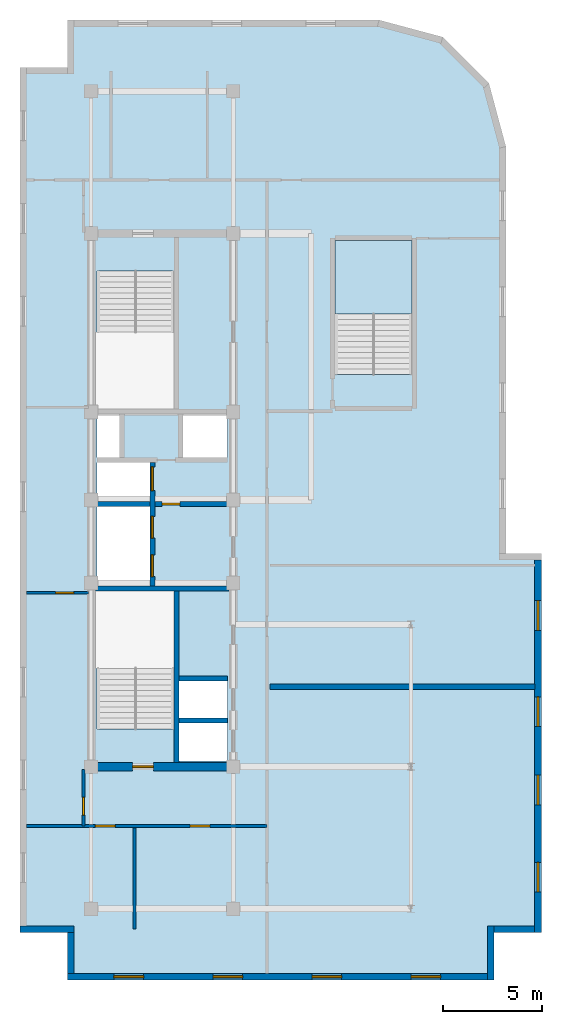
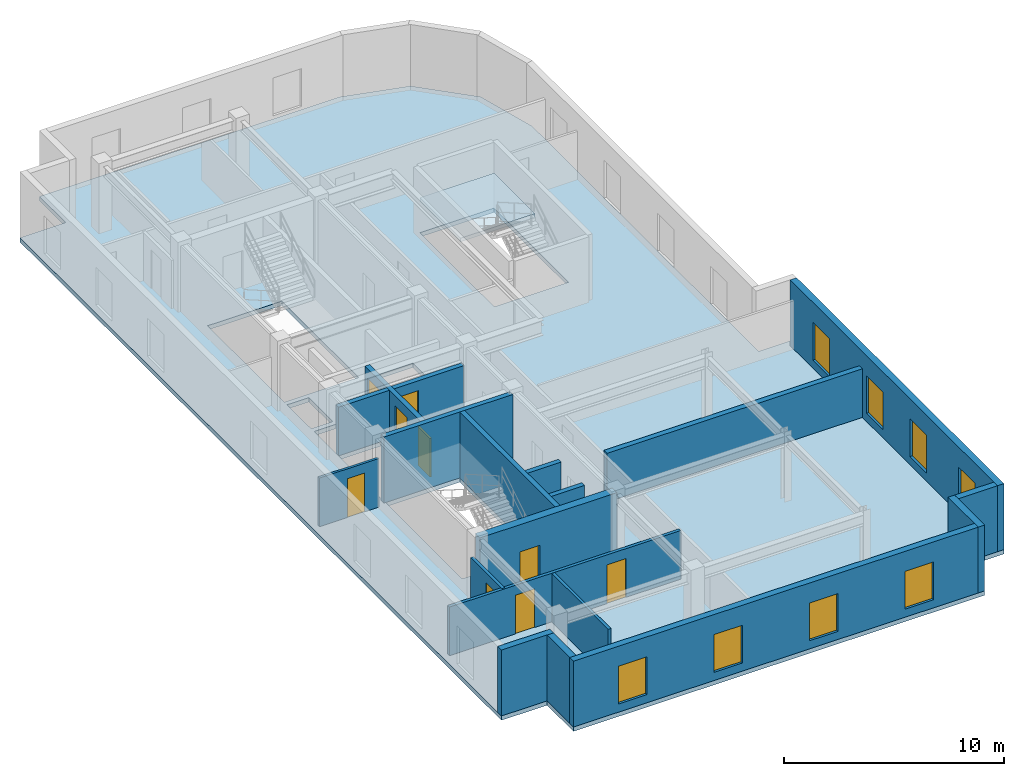
# One storey, part 2 of 5: 18 walls, 9 doors, 8 windows, 2 slabs, 17 openings, 1 element without a shape of its own.
"""IFC4 building model written with IfcOpenShell, lengths in metres."""

from ifc_helpers import new_model, entity, si_unit, converted_unit, direction, frame, origin_with_axes, origin_2d_with_axis, place, context, subcontext, project, spatial, polyline, rectangle, outline, extrude, material, layer, layer_set, type_object, element, fill, aggregate, save


model = new_model("IFC4")

# Units and contexts
model_context = context("Model", 3, precision=1e-05, world=origin_with_axes(), true_north=direction((0.0, 1.0)))
body_context = subcontext(model_context, "Body", "Model", "MODEL_VIEW")
ifc_project = project(units=[si_unit("LENGTHUNIT", "METRE"), si_unit("AREAUNIT", "SQUARE_METRE"), si_unit("VOLUMEUNIT", "CUBIC_METRE"), converted_unit("PLANEANGLEUNIT", "DEGREE", entity("IfcPlaneAngleMeasure", 0.017453292519943295), si_unit("PLANEANGLEUNIT", "RADIAN"), dimensions=[0, 0, 0, 0, 0, 0, 0]), si_unit("MASSUNIT", "GRAM", prefix="KILO"), si_unit("THERMODYNAMICTEMPERATUREUNIT", "KELVIN")], contexts=[model_context])

# Site, building, storey
site_placement = place(None, origin_with_axes())
site = spatial("IfcSite", under=ifc_project, at=site_placement, CompositionType="ELEMENT")
building_placement = place(site_placement, origin_with_axes())
building = spatial("IfcBuilding", under=site, at=building_placement, Name="Varnlund Millrace Tower", CompositionType="ELEMENT")
storey_placement = place(building_placement, frame((0.0, 0.0, 291.9), z_axis=(0.0, 0.0, 1.0), x_axis=(1.0, 0.0, 0.0)))
storey = spatial("IfcBuildingStorey", under=building, at=storey_placement, Name="L72", CompositionType="ELEMENT", Elevation=291.9)

# Slab
ifc_material_1 = material(Name="Concrete C60/75", Category="concrete")
ifc_layer_1 = layer(ifc_material_1, 0.24, Name="Concrete C60/75")
ifc_layer_set_1 = layer_set([ifc_layer_1], Name="Concrete C60/75")
slab_type_1 = type_object("IfcSlabType", Name="Type-Deck-Plate-Typical-240", PredefinedType="FLOOR", material=ifc_layer_set_1)
slab_1_placement = place(storey_placement, frame((0.0, 0.0, -0.24), z_axis=(0.0, 0.0, 1.0), x_axis=(1.0, 0.0, 0.0)))
element("IfcSlab", 1, at=slab_1_placement, inside=storey, type_object=slab_type_1, Name="Type-Deck-Plate-Typical-240", PredefinedType="FLOOR", context=body_context, shape_type="SweptSolid", body=[
    extrude(outline(polyline([(34.2, 21.6), (32.4, 21.6), (32.4, 42.2), (31.543, 45.4), (29.2, 47.743), (26.0, 48.6), (10.2, 48.6), (10.2, 46.2), (7.8, 46.2), (7.8, 2.4), (10.2, 2.4), (10.2, 0.0), (31.8, 0.0), (31.8, 2.4), (34.2, 2.4), (34.2, 21.6)]), holes=[polyline([(18.3, 13.1), (18.3, 11.1), (15.84, 11.1), (15.84, 13.1), (18.3, 13.1)]), polyline([(18.3, 15.24), (18.3, 13.16), (15.84, 13.16), (15.84, 15.24), (18.3, 15.24)]), polyline([(15.6, 19.7), (15.6, 12.715), (11.7, 12.715), (11.7, 19.7), (15.6, 19.7)]), polyline([(11.7, 23.98), (14.38, 23.98), (14.38, 19.94), (11.7, 19.94), (11.7, 23.98)]), polyline([(14.38, 26.2), (14.38, 24.24), (11.7, 24.24), (11.7, 26.2), (14.38, 26.2)]), polyline([(12.84, 28.65), (12.84, 26.46), (11.7, 26.46), (11.7, 28.65), (12.84, 28.65)]), polyline([(18.3, 28.65), (18.3, 26.46), (16.04, 26.46), (16.04, 28.65), (18.3, 28.65)]), polyline([(15.6, 28.9), (11.7, 28.9), (11.7, 35.885), (15.6, 35.885), (15.6, 28.9)]), polyline([(27.65, 30.665), (23.75, 30.665), (23.75, 37.45), (27.65, 37.45), (27.65, 30.665)])]), origin_with_axes(), (0.0, 0.0, 1.0), 0.24),
])

# Stair, slab
ifc_material_2 = material(Name="Concrete C50/60", Category="concrete")
stair_type = type_object("IfcStairType", Name="Type-Stair-Dogleg-185-390", PredefinedType="HALF_TURN_STAIR", material=ifc_material_2)
stair_placement = place(storey_placement, origin_with_axes())
stair = element("IfcStair", 2, at=stair_placement, inside=storey, type_object=stair_type, Name="Type-Stair-Dogleg-185-390", PredefinedType="HALF_TURN_STAIR")
ifc_layer_2 = layer(ifc_material_2, 0.2, Name="Concrete C50/60")
ifc_layer_set_2 = layer_set([ifc_layer_2], Name="Concrete C50/60")
slab_type_2 = type_object("IfcSlabType", Name="Type-StairLanding-200", PredefinedType="LANDING", material=ifc_layer_set_2)
slab_2_placement = place(storey_placement, frame((0.0, 0.0, 1.75), z_axis=(0.0, 0.0, 1.0), x_axis=(1.0, 0.0, 0.0)))
slab_2 = element("IfcSlab", 3, at=slab_2_placement, type_object=slab_type_2, Name="ST-A3 landing 1", PredefinedType="LANDING", context=body_context, shape_type="SweptSolid", body=[
    extrude(outline(polyline([(27.65, 33.73), (27.65, 37.45), (23.75, 37.45), (23.75, 33.73), (27.65, 33.73)])), origin_with_axes(), (0.0, 0.0, 1.0), 0.2),
])
aggregate(stair, [slab_2])

# Wall, opening, door
ifc_layer_3 = layer(ifc_material_1, 0.42, Name="Concrete C60/75")
ifc_layer_set_3 = layer_set([ifc_layer_3], Name="Concrete C60/75")
wall_type_1 = type_object("IfcWallType", Name="Type-CoreWall-Shear-420-C60", PredefinedType="SHEAR", material=ifc_layer_set_3)
wall_1_placement = place(storey_placement, frame((11.4, 10.8, 0.0), z_axis=(0.0, 0.0, 1.0), x_axis=(1.0, 0.0, 0.0)))
wall_1 = element("IfcWall", 4, at=wall_1_placement, inside=storey, type_object=wall_type_1, Name="Type-CoreWall-Shear-420-C60", PredefinedType="SHEAR", context=body_context, shape_type="SweptSolid", body=[
    extrude(outline(polyline([(0.0, -0.21), (7.2, -0.21), (7.2, 0.21), (0.0, 0.21), (0.0, -0.21)])), origin_with_axes(), (0.0, 0.0, 1.0), 3.66),
])
opening_1_placement = place(wall_1_placement, frame((2.625, 0.0, 0.0), z_axis=(0.0, 0.0, 1.0), x_axis=(1.0, 0.0, 0.0)))
opening_1 = element("IfcOpeningElement", 5, at=opening_1_placement, cuts=wall_1, Name="Opening L72:DR-STA1", PredefinedType="OPENING", context=body_context, shape_type="SweptSolid", body=[
    extrude(rectangle(XDim=1.05, YDim=0.44, at=origin_2d_with_axis()), origin_with_axes(), (0.0, 0.0, 1.0), 2.15),
])
ifc_material_3 = material(Name="Fire-rated hollow steel door", Category="steel")
door_type_1 = type_object("IfcDoorType", Name="Type-FireDoor-Stair-1050X2150", OperationType="NOTDEFINED", PredefinedType="DOOR", material=ifc_material_3)
door_1_placement = place(wall_1_placement, frame((2.625, 0.0, 0.0), z_axis=(0.0, 0.0, 1.0), x_axis=(1.0, 0.0, 0.0)))
door_1 = element("IfcDoor", 6, at=door_1_placement, inside=storey, type_object=door_type_1, Name="Type-FireDoor-Stair-1050X2150", OperationType="SINGLE_SWING_LEFT", OverallHeight=2.15, OverallWidth=1.05, PredefinedType="DOOR", context=body_context, shape_type="SweptSolid", body=[
    extrude(rectangle(XDim=1.05, YDim=0.09, at=origin_2d_with_axis()), origin_with_axes(), (0.0, 0.0, 1.0), 2.15),
])
fill(opening_1, door_1)

# Walls
ifc_material_4 = material(Name="Precast concrete C50/60", Category="concrete")
ifc_layer_4 = layer(ifc_material_4, 0.34, Name="Precast concrete C50/60")
ifc_layer_set_4 = layer_set([ifc_layer_4], Name="Precast concrete C50/60")
wall_type_2 = type_object("IfcWallType", Name="Type-ExtWall-Precast-Upper-340", PredefinedType="SOLIDWALL", material=ifc_layer_set_4)
wall_2_placement = place(storey_placement, frame((33.86, 2.57, 0.0), z_axis=(0.0, 0.0, 1.0), x_axis=(-1.0, 0.0, 0.0)))
element("IfcWall", 7, at=wall_2_placement, inside=storey, type_object=wall_type_2, Name="Type-ExtWall-Precast-Upper-340", PredefinedType="SOLIDWALL", context=body_context, shape_type="SweptSolid", body=[
    extrude(outline(polyline([(0.0, -0.17), (2.06, -0.17), (2.06, 0.17), (0.0, 0.17), (0.0, -0.17)])), origin_with_axes(), (0.0, 0.0, 1.0), 3.66),
])
wall_3_placement = place(storey_placement, frame((31.63, 2.74, 0.0), z_axis=(0.0, 0.0, 1.0), x_axis=(0.0, -1.0, 0.0)))
element("IfcWall", 8, at=wall_3_placement, inside=storey, type_object=wall_type_2, Name="Type-ExtWall-Precast-Upper-340", PredefinedType="SOLIDWALL", context=body_context, shape_type="SweptSolid", body=[
    extrude(outline(polyline([(0.0, -0.17), (2.74, -0.17), (2.74, 0.17), (0.0, 0.17), (0.0, -0.17)])), origin_with_axes(), (0.0, 0.0, 1.0), 3.66),
])

# Wall, openings, windows
wall_4_placement = place(storey_placement, frame((31.46, 0.17, 0.0), z_axis=(0.0, 0.0, 1.0), x_axis=(-1.0, 0.0, 0.0)))
wall_4 = element("IfcWall", 9, at=wall_4_placement, inside=storey, type_object=wall_type_2, Name="Type-ExtWall-Precast-Upper-340", PredefinedType="SOLIDWALL", context=body_context, shape_type="SweptSolid", body=[
    extrude(outline(polyline([(0.0, -0.17), (21.26, -0.17), (21.26, 0.17), (0.0, 0.17), (0.0, -0.17)])), origin_with_axes(), (0.0, 0.0, 1.0), 3.66),
])
opening_2_placement = place(wall_4_placement, frame((3.108, 0.0, 0.45), z_axis=(0.0, 0.0, 1.0), x_axis=(1.0, 0.0, 0.0)))
opening_2 = element("IfcOpeningElement", 10, at=opening_2_placement, cuts=wall_4, Name="Opening L72:WN-01", PredefinedType="OPENING", context=body_context, shape_type="SweptSolid", body=[
    extrude(rectangle(XDim=1.5, YDim=0.36, at=origin_2d_with_axis()), origin_with_axes(), (0.0, 0.0, 1.0), 2.1),
])
opening_3_placement = place(wall_4_placement, frame((8.123, 0.0, 0.45), z_axis=(0.0, 0.0, 1.0), x_axis=(1.0, 0.0, 0.0)))
opening_3 = element("IfcOpeningElement", 11, at=opening_3_placement, cuts=wall_4, Name="Opening L72:WN-02", PredefinedType="OPENING", context=body_context, shape_type="SweptSolid", body=[
    extrude(rectangle(XDim=1.5, YDim=0.36, at=origin_2d_with_axis()), origin_with_axes(), (0.0, 0.0, 1.0), 2.1),
])
opening_4_placement = place(wall_4_placement, frame((13.138, 0.0, 0.45), z_axis=(0.0, 0.0, 1.0), x_axis=(1.0, 0.0, 0.0)))
opening_4 = element("IfcOpeningElement", 12, at=opening_4_placement, cuts=wall_4, Name="Opening L72:WN-03", PredefinedType="OPENING", context=body_context, shape_type="SweptSolid", body=[
    extrude(rectangle(XDim=1.5, YDim=0.36, at=origin_2d_with_axis()), origin_with_axes(), (0.0, 0.0, 1.0), 2.1),
])
opening_5_placement = place(wall_4_placement, frame((18.153, 0.0, 0.45), z_axis=(0.0, 0.0, 1.0), x_axis=(1.0, 0.0, 0.0)))
opening_5 = element("IfcOpeningElement", 13, at=opening_5_placement, cuts=wall_4, Name="Opening L72:WN-04", PredefinedType="OPENING", context=body_context, shape_type="SweptSolid", body=[
    extrude(rectangle(XDim=1.5, YDim=0.36, at=origin_2d_with_axis()), origin_with_axes(), (0.0, 0.0, 1.0), 2.1),
])
ifc_material_5 = material(Name="Argon low-e triple glazing in thermally broken bronze frame", Category="glass")
window_type = type_object("IfcWindowType", Name="Type-Window-Punched-1500X2100", PartitioningType="SINGLE_PANEL", PredefinedType="WINDOW", material=ifc_material_5)
window_1_placement = place(wall_4_placement, frame((3.108, 0.0, 0.45), z_axis=(0.0, 0.0, 1.0), x_axis=(1.0, 0.0, 0.0)))
window_1 = element("IfcWindow", 14, at=window_1_placement, inside=storey, type_object=window_type, Name="Type-Window-Punched-1500X2100", OverallHeight=2.1, OverallWidth=1.5, PredefinedType="WINDOW", context=body_context, shape_type="SweptSolid", body=[
    extrude(rectangle(XDim=1.5, YDim=0.09, at=origin_2d_with_axis()), origin_with_axes(), (0.0, 0.0, 1.0), 2.1),
])
fill(opening_2, window_1)
window_2_placement = place(wall_4_placement, frame((8.123, 0.0, 0.45), z_axis=(0.0, 0.0, 1.0), x_axis=(1.0, 0.0, 0.0)))
window_2 = element("IfcWindow", 15, at=window_2_placement, inside=storey, type_object=window_type, Name="Type-Window-Punched-1500X2100", OverallHeight=2.1, OverallWidth=1.5, PredefinedType="WINDOW", context=body_context, shape_type="SweptSolid", body=[
    extrude(rectangle(XDim=1.5, YDim=0.09, at=origin_2d_with_axis()), origin_with_axes(), (0.0, 0.0, 1.0), 2.1),
])
fill(opening_3, window_2)
window_3_placement = place(wall_4_placement, frame((13.138, 0.0, 0.45), z_axis=(0.0, 0.0, 1.0), x_axis=(1.0, 0.0, 0.0)))
window_3 = element("IfcWindow", 16, at=window_3_placement, inside=storey, type_object=window_type, Name="Type-Window-Punched-1500X2100", OverallHeight=2.1, OverallWidth=1.5, PredefinedType="WINDOW", context=body_context, shape_type="SweptSolid", body=[
    extrude(rectangle(XDim=1.5, YDim=0.09, at=origin_2d_with_axis()), origin_with_axes(), (0.0, 0.0, 1.0), 2.1),
])
fill(opening_4, window_3)
window_4_placement = place(wall_4_placement, frame((18.153, 0.0, 0.45), z_axis=(0.0, 0.0, 1.0), x_axis=(1.0, 0.0, 0.0)))
window_4 = element("IfcWindow", 17, at=window_4_placement, inside=storey, type_object=window_type, Name="Type-Window-Punched-1500X2100", OverallHeight=2.1, OverallWidth=1.5, PredefinedType="WINDOW", context=body_context, shape_type="SweptSolid", body=[
    extrude(rectangle(XDim=1.5, YDim=0.09, at=origin_2d_with_axis()), origin_with_axes(), (0.0, 0.0, 1.0), 2.1),
])
fill(opening_5, window_4)

# Walls
wall_5_placement = place(storey_placement, frame((10.37, 0.34, 0.0), z_axis=(0.0, 0.0, 1.0), x_axis=(0.0, 1.0, 0.0)))
element("IfcWall", 18, at=wall_5_placement, inside=storey, type_object=wall_type_2, Name="Type-ExtWall-Precast-Upper-340", PredefinedType="SOLIDWALL", context=body_context, shape_type="SweptSolid", body=[
    extrude(outline(polyline([(0.0, -0.17), (2.06, -0.17), (2.06, 0.17), (0.0, 0.17), (0.0, -0.17)])), origin_with_axes(), (0.0, 0.0, 1.0), 3.66),
])
wall_6_placement = place(storey_placement, frame((10.54, 2.57, 0.0), z_axis=(0.0, 0.0, 1.0), x_axis=(-1.0, 0.0, 0.0)))
element("IfcWall", 19, at=wall_6_placement, inside=storey, type_object=wall_type_2, Name="Type-ExtWall-Precast-Upper-340", PredefinedType="SOLIDWALL", context=body_context, shape_type="SweptSolid", body=[
    extrude(outline(polyline([(0.0, -0.17), (2.74, -0.17), (2.74, 0.17), (0.0, 0.17), (0.0, -0.17)])), origin_with_axes(), (0.0, 0.0, 1.0), 3.66),
])

# Wall, openings, windows
wall_7_placement = place(storey_placement, frame((34.03, 21.26, 0.0), z_axis=(0.0, 0.0, 1.0), x_axis=(0.0, -1.0, 0.0)))
wall_7 = element("IfcWall", 20, at=wall_7_placement, inside=storey, type_object=wall_type_2, Name="Type-ExtWall-Precast-Upper-340", PredefinedType="SOLIDWALL", context=body_context, shape_type="SweptSolid", body=[
    extrude(outline(polyline([(0.0, -0.17), (18.86, -0.17), (18.86, 0.17), (0.0, 0.17), (0.0, -0.17)])), origin_with_axes(), (0.0, 0.0, 1.0), 3.66),
])
opening_6_placement = place(wall_7_placement, frame((2.808, 0.0, 0.45), z_axis=(0.0, 0.0, 1.0), x_axis=(1.0, 0.0, 0.0)))
opening_6 = element("IfcOpeningElement", 21, at=opening_6_placement, cuts=wall_7, Name="Opening L72:WN-19", PredefinedType="OPENING", context=body_context, shape_type="SweptSolid", body=[
    extrude(rectangle(XDim=1.5, YDim=0.36, at=origin_2d_with_axis()), origin_with_axes(), (0.0, 0.0, 1.0), 2.1),
])
opening_7_placement = place(wall_7_placement, frame((7.673, 0.0, 0.45), z_axis=(0.0, 0.0, 1.0), x_axis=(1.0, 0.0, 0.0)))
opening_7 = element("IfcOpeningElement", 22, at=opening_7_placement, cuts=wall_7, Name="Opening L72:WN-20", PredefinedType="OPENING", context=body_context, shape_type="SweptSolid", body=[
    extrude(rectangle(XDim=1.5, YDim=0.36, at=origin_2d_with_axis()), origin_with_axes(), (0.0, 0.0, 1.0), 2.1),
])
opening_8_placement = place(wall_7_placement, frame((11.638, 0.0, 0.45), z_axis=(0.0, 0.0, 1.0), x_axis=(1.0, 0.0, 0.0)))
opening_8 = element("IfcOpeningElement", 23, at=opening_8_placement, cuts=wall_7, Name="Opening L72:WN-21", PredefinedType="OPENING", context=body_context, shape_type="SweptSolid", body=[
    extrude(rectangle(XDim=1.5, YDim=0.36, at=origin_2d_with_axis()), origin_with_axes(), (0.0, 0.0, 1.0), 2.1),
])
opening_9_placement = place(wall_7_placement, frame((16.053, 0.0, 0.45), z_axis=(0.0, 0.0, 1.0), x_axis=(1.0, 0.0, 0.0)))
opening_9 = element("IfcOpeningElement", 24, at=opening_9_placement, cuts=wall_7, Name="Opening L72:WN-22", PredefinedType="OPENING", context=body_context, shape_type="SweptSolid", body=[
    extrude(rectangle(XDim=1.5, YDim=0.36, at=origin_2d_with_axis()), origin_with_axes(), (0.0, 0.0, 1.0), 2.1),
])
window_5_placement = place(wall_7_placement, frame((2.808, 0.0, 0.45), z_axis=(0.0, 0.0, 1.0), x_axis=(1.0, 0.0, 0.0)))
window_5 = element("IfcWindow", 25, at=window_5_placement, inside=storey, type_object=window_type, Name="Type-Window-Punched-1500X2100", OverallHeight=2.1, OverallWidth=1.5, PredefinedType="WINDOW", context=body_context, shape_type="SweptSolid", body=[
    extrude(rectangle(XDim=1.5, YDim=0.09, at=origin_2d_with_axis()), origin_with_axes(), (0.0, 0.0, 1.0), 2.1),
])
fill(opening_6, window_5)
window_6_placement = place(wall_7_placement, frame((7.673, 0.0, 0.45), z_axis=(0.0, 0.0, 1.0), x_axis=(1.0, 0.0, 0.0)))
window_6 = element("IfcWindow", 26, at=window_6_placement, inside=storey, type_object=window_type, Name="Type-Window-Punched-1500X2100", OverallHeight=2.1, OverallWidth=1.5, PredefinedType="WINDOW", context=body_context, shape_type="SweptSolid", body=[
    extrude(rectangle(XDim=1.5, YDim=0.09, at=origin_2d_with_axis()), origin_with_axes(), (0.0, 0.0, 1.0), 2.1),
])
fill(opening_7, window_6)
window_7_placement = place(wall_7_placement, frame((11.638, 0.0, 0.45), z_axis=(0.0, 0.0, 1.0), x_axis=(1.0, 0.0, 0.0)))
window_7 = element("IfcWindow", 27, at=window_7_placement, inside=storey, type_object=window_type, Name="Type-Window-Punched-1500X2100", OverallHeight=2.1, OverallWidth=1.5, PredefinedType="WINDOW", context=body_context, shape_type="SweptSolid", body=[
    extrude(rectangle(XDim=1.5, YDim=0.09, at=origin_2d_with_axis()), origin_with_axes(), (0.0, 0.0, 1.0), 2.1),
])
fill(opening_8, window_7)
window_8_placement = place(wall_7_placement, frame((16.053, 0.0, 0.45), z_axis=(0.0, 0.0, 1.0), x_axis=(1.0, 0.0, 0.0)))
window_8 = element("IfcWindow", 28, at=window_8_placement, inside=storey, type_object=window_type, Name="Type-Window-Punched-1500X2100", OverallHeight=2.1, OverallWidth=1.5, PredefinedType="WINDOW", context=body_context, shape_type="SweptSolid", body=[
    extrude(rectangle(XDim=1.5, YDim=0.09, at=origin_2d_with_axis()), origin_with_axes(), (0.0, 0.0, 1.0), 2.1),
])
fill(opening_9, window_8)

# Wall
ifc_material_6 = material(Name="Double-stud STC-60 conference acoustic partition", Category="gypsum")
ifc_layer_5 = layer(ifc_material_6, 0.28, Name="Double-stud STC-60 conference acoustic partition")
ifc_layer_set_5 = layer_set([ifc_layer_5], Name="Double-stud STC-60 conference acoustic partition")
wall_type_3 = type_object("IfcWallType", Name="Type-Partition-Acoustic-280", PredefinedType="PARTITIONING", material=ifc_layer_set_5)
wall_8_placement = place(storey_placement, frame((20.45, 14.838, 0.0), z_axis=(0.0, 0.0, 1.0), x_axis=(1.0, 0.0, 0.0)))
element("IfcWall", 29, at=wall_8_placement, inside=storey, type_object=wall_type_3, Name="Type-Partition-Acoustic-280", PredefinedType="PARTITIONING", context=body_context, shape_type="SweptSolid", body=[
    extrude(outline(polyline([(0.0, -0.14), (13.415, -0.14), (13.415, 0.14), (0.0, 0.14), (0.0, -0.14)])), origin_with_axes(), (0.0, 0.0, 1.0), 2.7),
])

# Wall, openings, doors
ifc_material_7 = material(Name="Fire-rated gypsum board on cold-formed steel framing", Category="steel")
ifc_layer_6 = layer(ifc_material_7, 0.16, Name="Fire-rated gypsum board on cold-formed steel framing")
ifc_layer_set_6 = layer_set([ifc_layer_6], Name="Fire-rated gypsum board on cold-formed steel framing")
wall_type_4 = type_object("IfcWallType", Name="Type-Partition-Corridor-160", PredefinedType="PARTITIONING", material=ifc_layer_set_6)
wall_9_placement = place(storey_placement, frame((8.135, 7.8, 0.0), z_axis=(0.0, 0.0, 1.0), x_axis=(1.0, 0.0, 0.0)))
wall_9 = element("IfcWall", 30, at=wall_9_placement, inside=storey, type_object=wall_type_4, Name="Type-Partition-Corridor-160", PredefinedType="PARTITIONING", context=body_context, shape_type="SweptSolid", body=[
    extrude(outline(polyline([(0.0, -0.08), (12.165, -0.08), (12.165, 0.08), (0.0, 0.08), (0.0, -0.08)])), origin_with_axes(), (0.0, 0.0, 1.0), 2.7),
])
opening_10_placement = place(wall_9_placement, frame((3.983, 0.0, 0.0), z_axis=(0.0, 0.0, 1.0), x_axis=(1.0, 0.0, 0.0)))
opening_10 = element("IfcOpeningElement", 31, at=opening_10_placement, cuts=wall_9, Name="Opening L72:DR-WAS-01", PredefinedType="OPENING", context=body_context, shape_type="SweptSolid", body=[
    extrude(rectangle(XDim=1.0, YDim=0.18, at=origin_2d_with_axis()), origin_with_axes(), (0.0, 0.0, 1.0), 2.15),
])
opening_11_placement = place(wall_9_placement, frame((8.7835, 0.0, 0.0), z_axis=(0.0, 0.0, 1.0), x_axis=(1.0, 0.0, 0.0)))
opening_11 = element("IfcOpeningElement", 32, at=opening_11_placement, cuts=wall_9, Name="Opening L72:DR-WAS-02", PredefinedType="OPENING", context=body_context, shape_type="SweptSolid", body=[
    extrude(rectangle(XDim=1.0, YDim=0.18, at=origin_2d_with_axis()), origin_with_axes(), (0.0, 0.0, 1.0), 2.15),
])
ifc_material_8 = material(Name="Solid-core white oak and bronze frame door")
door_type_2 = type_object("IfcDoorType", Name="Type-IntDoor-Office-1000X2150", OperationType="NOTDEFINED", PredefinedType="DOOR", material=ifc_material_8)
door_2_placement = place(wall_9_placement, frame((3.983, 0.0, 0.0), z_axis=(0.0, 0.0, 1.0), x_axis=(1.0, 0.0, 0.0)))
door_2 = element("IfcDoor", 33, at=door_2_placement, inside=storey, type_object=door_type_2, Name="Type-IntDoor-Office-1000X2150", OperationType="SINGLE_SWING_LEFT", OverallHeight=2.15, OverallWidth=1.0, PredefinedType="DOOR", context=body_context, shape_type="SweptSolid", body=[
    extrude(rectangle(XDim=1.0, YDim=0.09, at=origin_2d_with_axis()), origin_with_axes(), (0.0, 0.0, 1.0), 2.15),
])
fill(opening_10, door_2)
door_3_placement = place(wall_9_placement, frame((8.7835, 0.0, 0.0), z_axis=(0.0, 0.0, 1.0), x_axis=(1.0, 0.0, 0.0)))
door_3 = element("IfcDoor", 34, at=door_3_placement, inside=storey, type_object=door_type_2, Name="Type-IntDoor-Office-1000X2150", OperationType="SINGLE_SWING_RIGHT", OverallHeight=2.15, OverallWidth=1.0, PredefinedType="DOOR", context=body_context, shape_type="SweptSolid", body=[
    extrude(rectangle(XDim=1.0, YDim=0.09, at=origin_2d_with_axis()), origin_with_axes(), (0.0, 0.0, 1.0), 2.15),
])
fill(opening_11, door_3)

# Wall, opening, door
wall_10_placement = place(storey_placement, frame((11.02, 7.8, 0.0), z_axis=(0.0, 0.0, 1.0), x_axis=(0.0, 1.0, 0.0)))
wall_10 = element("IfcWall", 35, at=wall_10_placement, inside=storey, type_object=wall_type_4, Name="Type-Partition-Corridor-160", PredefinedType="PARTITIONING", context=body_context, shape_type="SweptSolid", body=[
    extrude(outline(polyline([(0.0, -0.08), (2.85, -0.08), (2.85, 0.08), (0.0, 0.08), (0.0, -0.08)])), origin_with_axes(), (0.0, 0.0, 1.0), 2.7),
])
opening_12_placement = place(wall_10_placement, frame((1.0, 0.0, 0.0), z_axis=(0.0, 0.0, 1.0), x_axis=(1.0, 0.0, 0.0)))
opening_12 = element("IfcOpeningElement", 36, at=opening_12_placement, cuts=wall_10, Name="Opening L72:DR-WU-S1", PredefinedType="OPENING", context=body_context, shape_type="SweptSolid", body=[
    extrude(rectangle(XDim=0.9, YDim=0.18, at=origin_2d_with_axis()), origin_with_axes(), (0.0, 0.0, 1.0), 2.15),
])
ifc_material_9 = material(Name="Painted steel riser and closet door", Category="steel")
door_type_3 = type_object("IfcDoorType", Name="Type-IntDoor-Closet-900X2150", OperationType="NOTDEFINED", PredefinedType="DOOR", material=ifc_material_9)
door_4_placement = place(wall_10_placement, frame((1.0, 0.0, 0.0), z_axis=(0.0, 0.0, 1.0), x_axis=(1.0, 0.0, 0.0)))
door_4 = element("IfcDoor", 37, at=door_4_placement, inside=storey, type_object=door_type_3, Name="Type-IntDoor-Closet-900X2150", OperationType="SINGLE_SWING_LEFT", OverallHeight=2.15, OverallWidth=0.9, PredefinedType="DOOR", context=body_context, shape_type="SweptSolid", body=[
    extrude(rectangle(XDim=0.9, YDim=0.09, at=origin_2d_with_axis()), origin_with_axes(), (0.0, 0.0, 1.0), 2.15),
])
fill(opening_12, door_4)

# Wall
ifc_material_10 = material(Name="Acoustic STC-50 gypsum board partition", Category="gypsum")
ifc_layer_7 = layer(ifc_material_10, 0.15, Name="Acoustic STC-50 gypsum board partition")
ifc_layer_set_7 = layer_set([ifc_layer_7], Name="Acoustic STC-50 gypsum board partition")
wall_type_5 = type_object("IfcWallType", Name="Type-Partition-Demising-150", PredefinedType="PARTITIONING", material=ifc_layer_set_7)
wall_11_placement = place(storey_placement, frame((13.587, 2.58, 0.0), z_axis=(0.0, 0.0, 1.0), x_axis=(0.0, 1.0, 0.0)))
element("IfcWall", 38, at=wall_11_placement, inside=storey, type_object=wall_type_5, Name="Type-Partition-Demising-150", PredefinedType="PARTITIONING", context=body_context, shape_type="SweptSolid", body=[
    extrude(outline(polyline([(0.0, -0.075), (5.12, -0.075), (5.12, 0.075), (0.0, 0.075), (0.0, -0.075)])), origin_with_axes(), (0.0, 0.0, 1.0), 2.7),
])

# Wall, opening, door
ifc_material_11 = material(Name="Gypsum board tenant partition", Category="gypsum")
ifc_layer_8 = layer(ifc_material_11, 0.125, Name="Gypsum board tenant partition")
ifc_layer_set_8 = layer_set([ifc_layer_8], Name="Gypsum board tenant partition")
wall_type_6 = type_object("IfcWallType", Name="Type-Partition-Tenant-125", PredefinedType="PARTITIONING", material=ifc_layer_set_8)
wall_12_placement = place(storey_placement, frame((8.135, 19.6, 0.0), z_axis=(0.0, 0.0, 1.0), x_axis=(1.0, 0.0, 0.0)))
wall_12 = element("IfcWall", 39, at=wall_12_placement, inside=storey, type_object=wall_type_6, Name="Type-Partition-Tenant-125", PredefinedType="PARTITIONING", context=body_context, shape_type="SweptSolid", body=[
    extrude(outline(polyline([(0.0, -0.0625), (3.135, -0.0625), (3.135, 0.0625), (0.0, 0.0625), (0.0, -0.0625)])), origin_with_axes(), (0.0, 0.0, 1.0), 2.7),
])
opening_13_placement = place(wall_12_placement, frame((1.925, 0.0, 0.0), z_axis=(0.0, 0.0, 1.0), x_axis=(1.0, 0.0, 0.0)))
opening_13 = element("IfcOpeningElement", 40, at=opening_13_placement, cuts=wall_12, Name="Opening L72:DR-WU-M1", PredefinedType="OPENING", context=body_context, shape_type="SweptSolid", body=[
    extrude(rectangle(XDim=0.9, YDim=0.145, at=origin_2d_with_axis()), origin_with_axes(), (0.0, 0.0, 1.0), 2.15),
])
door_5_placement = place(wall_12_placement, frame((1.925, 0.0, 0.0), z_axis=(0.0, 0.0, 1.0), x_axis=(1.0, 0.0, 0.0)))
door_5 = element("IfcDoor", 41, at=door_5_placement, inside=storey, type_object=door_type_3, Name="Type-IntDoor-Closet-900X2150", OperationType="SINGLE_SWING_LEFT", OverallHeight=2.15, OverallWidth=0.9, PredefinedType="DOOR", context=body_context, shape_type="SweptSolid", body=[
    extrude(rectangle(XDim=0.9, YDim=0.075, at=origin_2d_with_axis()), origin_with_axes(), (0.0, 0.0, 1.0), 2.15),
])
fill(opening_13, door_5)

# Wall, openings, doors
ifc_layer_9 = layer(ifc_material_1, 0.25, Name="Concrete C60/75")
ifc_layer_set_9 = layer_set([ifc_layer_9], Name="Concrete C60/75")
wall_type_7 = type_object("IfcWallType", Name="Type-ShaftWall-Fire-250", PredefinedType="SOLIDWALL", material=ifc_layer_set_9)
wall_13_placement = place(storey_placement, frame((14.5, 19.95, 0.0), z_axis=(0.0, 0.0, 1.0), x_axis=(0.0, 1.0, 0.0)))
wall_13 = element("IfcWall", 42, at=wall_13_placement, inside=storey, type_object=wall_type_7, Name="Type-ShaftWall-Fire-250", PredefinedType="SOLIDWALL", context=body_context, shape_type="SweptSolid", body=[
    extrude(outline(polyline([(0.0, -0.125), (6.25, -0.125), (6.25, 0.125), (0.0, 0.125), (0.0, -0.125)])), origin_with_axes(), (0.0, 0.0, 1.0), 2.7),
])
opening_14_placement = place(wall_13_placement, frame((1.025, 0.0, 0.0), z_axis=(0.0, 0.0, 1.0), x_axis=(1.0, 0.0, 0.0)))
opening_14 = element("IfcOpeningElement", 43, at=opening_14_placement, cuts=wall_13, Name="Opening L72:LD-FSAE1", PredefinedType="OPENING", context=body_context, shape_type="SweptSolid", body=[
    extrude(rectangle(XDim=1.1, YDim=0.27, at=origin_2d_with_axis()), origin_with_axes(), (0.0, 0.0, 1.0), 2.15),
])
opening_15_placement = place(wall_13_placement, frame((2.975, 0.0, 0.0), z_axis=(0.0, 0.0, 1.0), x_axis=(1.0, 0.0, 0.0)))
opening_15 = element("IfcOpeningElement", 44, at=opening_15_placement, cuts=wall_13, Name="Opening L72:LD-FSAE2", PredefinedType="OPENING", context=body_context, shape_type="SweptSolid", body=[
    extrude(rectangle(XDim=1.1, YDim=0.27, at=origin_2d_with_axis()), origin_with_axes(), (0.0, 0.0, 1.0), 2.15),
])
opening_16_placement = place(wall_13_placement, frame((5.425, 0.0, 0.0), z_axis=(0.0, 0.0, 1.0), x_axis=(1.0, 0.0, 0.0)))
opening_16 = element("IfcOpeningElement", 45, at=opening_16_placement, cuts=wall_13, Name="Opening L72:LD-SRV1", PredefinedType="OPENING", context=body_context, shape_type="SweptSolid", body=[
    extrude(rectangle(XDim=1.2, YDim=0.27, at=origin_2d_with_axis()), origin_with_axes(), (0.0, 0.0, 1.0), 2.15),
])
ifc_material_12 = material(Name="Stainless and architectural bronze sliding landing door")
door_type_4 = type_object("IfcDoorType", Name="Type-LiftLandingDoor-1100X2150", OperationType="NOTDEFINED", PredefinedType="DOOR", material=ifc_material_12)
door_6_placement = place(wall_13_placement, frame((1.025, 0.0, 0.0), z_axis=(0.0, 0.0, 1.0), x_axis=(1.0, 0.0, 0.0)))
door_6 = element("IfcDoor", 46, at=door_6_placement, inside=storey, type_object=door_type_4, Name="Type-LiftLandingDoor-1100X2150", OperationType="SLIDING_TO_LEFT", OverallHeight=2.15, OverallWidth=1.1, PredefinedType="DOOR", context=body_context, shape_type="SweptSolid", body=[
    extrude(rectangle(XDim=1.1, YDim=0.09, at=origin_2d_with_axis()), origin_with_axes(), (0.0, 0.0, 1.0), 2.15),
])
fill(opening_14, door_6)
door_7_placement = place(wall_13_placement, frame((2.975, 0.0, 0.0), z_axis=(0.0, 0.0, 1.0), x_axis=(1.0, 0.0, 0.0)))
door_7 = element("IfcDoor", 47, at=door_7_placement, inside=storey, type_object=door_type_4, Name="Type-LiftLandingDoor-1100X2150", OperationType="SLIDING_TO_RIGHT", OverallHeight=2.15, OverallWidth=1.1, PredefinedType="DOOR", context=body_context, shape_type="SweptSolid", body=[
    extrude(rectangle(XDim=1.1, YDim=0.09, at=origin_2d_with_axis()), origin_with_axes(), (0.0, 0.0, 1.0), 2.15),
])
fill(opening_15, door_7)
ifc_material_13 = material(Name="Heavy-duty freight sliding landing door")
door_type_5 = type_object("IfcDoorType", Name="Type-LiftLandingDoor-Service-1200X2150", OperationType="NOTDEFINED", PredefinedType="DOOR", material=ifc_material_13)
door_8_placement = place(wall_13_placement, frame((5.425, 0.0, 0.0), z_axis=(0.0, 0.0, 1.0), x_axis=(1.0, 0.0, 0.0)))
door_8 = element("IfcDoor", 48, at=door_8_placement, inside=storey, type_object=door_type_5, Name="Type-LiftLandingDoor-Service-1200X2150", OperationType="DOUBLE_DOOR_SLIDING", OverallHeight=2.15, OverallWidth=1.2, PredefinedType="DOOR", context=body_context, shape_type="SweptSolid", body=[
    extrude(rectangle(XDim=1.2, YDim=0.09, at=origin_2d_with_axis()), origin_with_axes(), (0.0, 0.0, 1.0), 2.15),
])
fill(opening_16, door_8)

# Wall, opening, door
wall_14_placement = place(storey_placement, frame((11.7, 24.1, 0.0), z_axis=(0.0, 0.0, 1.0), x_axis=(1.0, 0.0, 0.0)))
wall_14 = element("IfcWall", 49, at=wall_14_placement, inside=storey, type_object=wall_type_7, Name="Type-ShaftWall-Fire-250", PredefinedType="SOLIDWALL", context=body_context, shape_type="SweptSolid", body=[
    extrude(outline(polyline([(0.0, -0.125), (6.6, -0.125), (6.6, 0.125), (0.0, 0.125), (0.0, -0.125)])), origin_with_axes(), (0.0, 0.0, 1.0), 2.7),
])
opening_17_placement = place(wall_14_placement, frame((3.75, 0.0, 0.0), z_axis=(0.0, 0.0, 1.0), x_axis=(1.0, 0.0, 0.0)))
opening_17 = element("IfcOpeningElement", 50, at=opening_17_placement, cuts=wall_14, Name="Opening L72:DR-CA-SRV1", PredefinedType="OPENING", context=body_context, shape_type="SweptSolid", body=[
    extrude(rectangle(XDim=0.9, YDim=0.27, at=origin_2d_with_axis()), origin_with_axes(), (0.0, 0.0, 1.0), 2.15),
])
ifc_material_14 = material(Name="Fire-rated hollow steel service closet door", Category="steel")
door_type_6 = type_object("IfcDoorType", Name="Type-FireDoor-Closet-900X2150", OperationType="NOTDEFINED", PredefinedType="DOOR", material=ifc_material_14)
door_9_placement = place(wall_14_placement, frame((3.75, 0.0, 0.0), z_axis=(0.0, 0.0, 1.0), x_axis=(1.0, 0.0, 0.0)))
door_9 = element("IfcDoor", 51, at=door_9_placement, inside=storey, type_object=door_type_6, Name="Type-FireDoor-Closet-900X2150", OperationType="SINGLE_SWING_LEFT", OverallHeight=2.15, OverallWidth=0.9, PredefinedType="DOOR", context=body_context, shape_type="SweptSolid", body=[
    extrude(rectangle(XDim=0.9, YDim=0.09, at=origin_2d_with_axis()), origin_with_axes(), (0.0, 0.0, 1.0), 2.15),
])
fill(opening_17, door_9)

# Walls
for number, where, z_axis, x_axis, name in (
    (52, (15.84, 13.13, 0.0), (0.0, 0.0, 1.0), (1.0, 0.0, 0.0), "Type-ShaftWall-Fire-250"),
    (53, (15.84, 15.27, 0.0), (0.0, 0.0, 1.0), (1.0, 0.0, 0.0), "Type-ShaftWall-Fire-250"),
):
    element("IfcWall", number, at=place(storey_placement, frame(where, z_axis=z_axis, x_axis=x_axis)), inside=storey, type_object=wall_type_7, Name=name, PredefinedType="SOLIDWALL", context=body_context, shape_type="SweptSolid", body=[
        extrude(outline(polyline([(0.0, -0.125), (2.46, -0.125), (2.46, 0.125), (0.0, 0.125), (0.0, -0.125)])), origin_with_axes(), (0.0, 0.0, 1.0), 2.7),
    ])
wall_type_8 = type_object("IfcWallType", Name="Type-StairWall-Shear-250", PredefinedType="SHEAR", material=ifc_layer_set_9)
wall_15_placement = place(storey_placement, frame((15.725, 11.01, 0.0), z_axis=(0.0, 0.0, 1.0), x_axis=(0.0, 1.0, 0.0)))
element("IfcWall", 54, at=wall_15_placement, inside=storey, type_object=wall_type_8, Name="Type-StairWall-Shear-250", PredefinedType="SHEAR", context=body_context, shape_type="SweptSolid", body=[
    extrude(outline(polyline([(0.0, -0.125), (8.69, -0.125), (8.69, 0.125), (0.0, 0.125), (0.0, -0.125)])), origin_with_axes(), (0.0, 0.0, 1.0), 3.66),
])
wall_16_placement = place(storey_placement, frame((11.61, 19.825, 0.0), z_axis=(0.0, 0.0, 1.0), x_axis=(1.0, 0.0, 0.0)))
element("IfcWall", 55, at=wall_16_placement, inside=storey, type_object=wall_type_8, Name="Type-StairWall-Shear-250", PredefinedType="SHEAR", context=body_context, shape_type="SweptSolid", body=[
    extrude(outline(polyline([(0.0, -0.125), (6.78, -0.125), (6.78, 0.125), (0.0, 0.125), (0.0, -0.125)])), origin_with_axes(), (0.0, 0.0, 1.0), 3.66),
])

save(model, "model.ifc")
